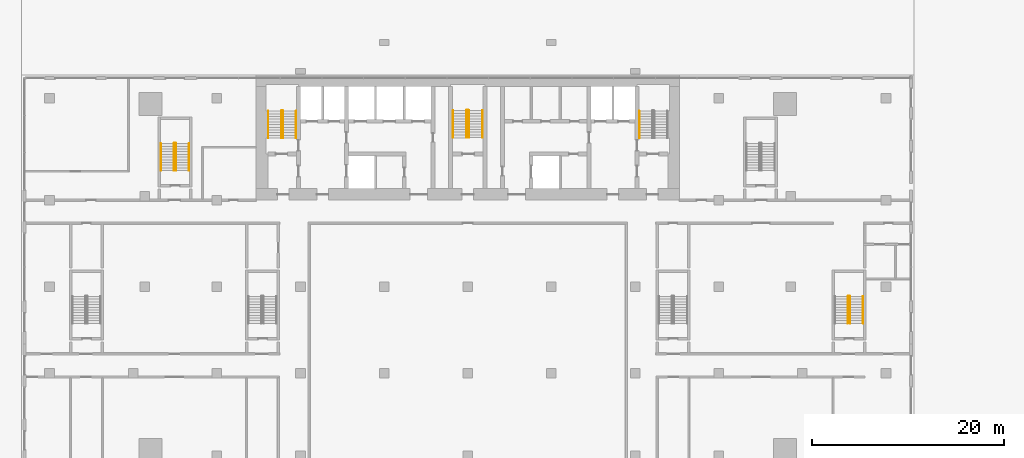
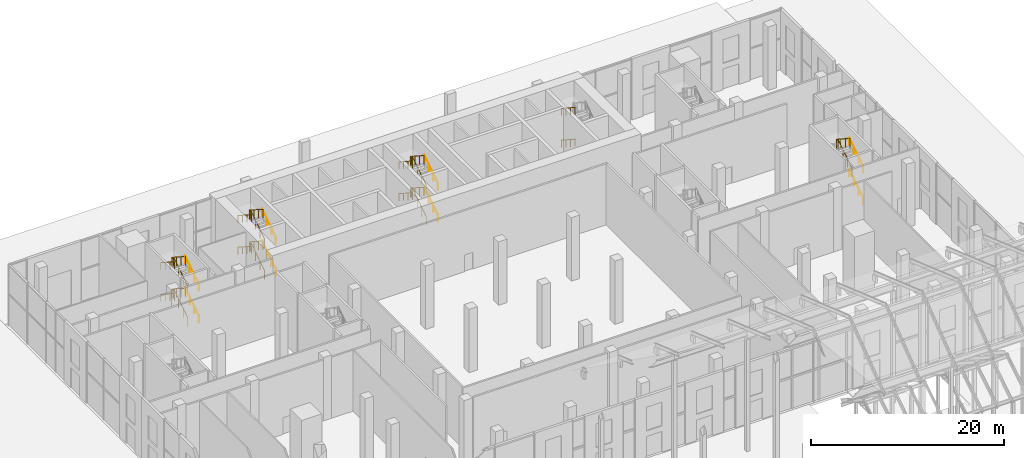
# One storey, part 30 of 31: 23 railings.
"""IFC4 building model written with IfcOpenShell, lengths in metres."""

from ifc_helpers import new_model, si_unit, direction, frame, origin, origin_2d, place, context, subcontext, project, spatial, circle, extrude, material, type_object, element, save


model = new_model("IFC4")

# Units and contexts
model_context = context("Model", 3, precision=1e-05, world=origin(), true_north=direction((0.0, 1.0)))
body_context = subcontext(model_context, "Body", "Model", "MODEL_VIEW")
ifc_project = project(units=[si_unit("LENGTHUNIT", "METRE"), si_unit("AREAUNIT", "SQUARE_METRE"), si_unit("VOLUMEUNIT", "CUBIC_METRE"), si_unit("PLANEANGLEUNIT", "RADIAN"), si_unit("MASSUNIT", "GRAM", prefix="KILO")], contexts=[model_context])

# Site, building, storey
site_placement = place(None, origin())
site = spatial("IfcSite", under=ifc_project, at=site_placement, CompositionType="ELEMENT")
building_placement = place(site_placement, origin())
building = spatial("IfcBuilding", under=site, at=building_placement, Name="Bicima Exchange Tower", CompositionType="ELEMENT")
storey_placement = place(building_placement, origin())
storey = spatial("IfcBuildingStorey", under=building, at=storey_placement, Name="L00", CompositionType="ELEMENT", Elevation=0.0)

# Railings
ifc_material = material(Name="Stainless steel", Category="steel")
railing_type_1 = type_object("IfcRailingType", Name="Stair guard 1100", PredefinedType="GUARDRAIL", material=ifc_material)
railing_1_placement = place(storey_placement, frame((-19.199951171875, -6.550048828125, 0.181884765625)))
element("IfcRailing", 1, at=railing_1_placement, inside=storey, type_object=railing_type_1, Name="L00 ST-W stair guard 1", PredefinedType="GUARDRAIL", context=body_context, shape_type="SweptSolid", body=[
    extrude(circle(Radius=0.02392578125, at=origin_2d()), frame((0.0, 0.0, 1.076171875), z_axis=(0.0, 0.838705829183, 0.544584733623), x_axis=(-1.0, 0.0, 0.0)), (0.0, 0.0, 1.0), 3.338623046875),
    extrude(circle(Radius=0.02392578125, at=origin_2d()), frame((0.0, 2.800048828125, 2.89404296875), z_axis=(-0.707106781187, 0.707106781187, 0.0), x_axis=(-0.707106781187, -0.707106781187, 0.0)), (0.0, 0.0, 1.0), 0.07080078125),
    extrude(circle(Radius=0.02392578125, at=origin_2d()), frame((-0.050048828125, 2.85009765625, 2.89404296875), z_axis=(-1.0, 0.0, 0.0), x_axis=(0.0, -1.0, 0.0)), (0.0, 0.0, 1.0), 0.10009765625),
    extrude(circle(Radius=0.02392578125, at=origin_2d()), frame((-0.150146484375, 2.85009765625, 2.89404296875), z_axis=(-0.25526617399, -0.256517478764, 0.932222056972), x_axis=(0.708833529934, -0.705375805398, 0.0)), (0.0, 0.0, 1.0), 0.195068359375),
    extrude(circle(Radius=0.02392578125, at=origin_2d()), frame((-0.199951171875, 2.800048828125, 3.076171875), z_axis=(0.0, -0.838705829183, 0.544584733623), x_axis=(1.0, 0.0, 0.0)), (0.0, 0.0, 1.0), 3.338623046875),
    extrude(circle(Radius=0.02099609375, at=origin_2d()), origin(), (0.0, 0.0, 1.0), 1.052001953125),
    extrude(circle(Radius=0.02099609375, at=origin_2d()), frame((0.0, 0.933349609375, 0.60595703125)), (0.0, 0.0, 1.0), 1.052001953125),
    extrude(circle(Radius=0.02099609375, at=origin_2d()), frame((0.0, 1.86669921875, 1.212158203125)), (0.0, 0.0, 1.0), 1.052001953125),
    extrude(circle(Radius=0.02099609375, at=origin_2d()), frame((0.0, 2.800048828125, 1.818115234375)), (0.0, 0.0, 1.0), 1.052001953125),
    extrude(circle(Radius=0.02099609375, at=origin_2d()), frame((-0.050048828125, 2.85009765625, 1.818115234375)), (0.0, 0.0, 1.0), 1.052001953125),
    extrude(circle(Radius=0.02099609375, at=origin_2d()), frame((-0.150146484375, 2.85009765625, 1.818115234375)), (0.0, 0.0, 1.0), 1.052001953125),
    extrude(circle(Radius=0.02099609375, at=origin_2d()), frame((-0.199951171875, 2.800048828125, 2.0)), (0.0, 0.0, 1.0), 1.052001953125),
    extrude(circle(Radius=0.02099609375, at=origin_2d()), frame((-0.199951171875, 1.86669921875, 2.60595703125)), (0.0, 0.0, 1.0), 1.052001953125),
    extrude(circle(Radius=0.02099609375, at=origin_2d()), frame((-0.199951171875, 0.933349609375, 3.212158203125)), (0.0, 0.0, 1.0), 1.052001953125),
    extrude(circle(Radius=0.02099609375, at=origin_2d()), frame((-0.199951171875, 0.0, 3.818115234375)), (0.0, 0.0, 1.0), 1.052001953125),
])
railing_2_placement = place(storey_placement, frame((-19.199951171875, -6.550048828125, 4.181884765625)))
element("IfcRailing", 2, at=railing_2_placement, inside=storey, type_object=railing_type_1, Name="L00 ST-W stair guard 2", PredefinedType="GUARDRAIL", context=body_context, shape_type="SweptSolid", body=[
    extrude(circle(Radius=0.02392578125, at=origin_2d()), frame((0.0, 0.0, 1.076171875), z_axis=(0.0, 0.838705829183, 0.544584733623), x_axis=(-1.0, 0.0, 0.0)), (0.0, 0.0, 1.0), 3.338623046875),
    extrude(circle(Radius=0.02392578125, at=origin_2d()), frame((0.0, 2.800048828125, 2.89404296875), z_axis=(-0.707106781187, 0.707106781187, 0.0), x_axis=(-0.707106781187, -0.707106781187, 0.0)), (0.0, 0.0, 1.0), 0.07080078125),
    extrude(circle(Radius=0.02392578125, at=origin_2d()), frame((-0.050048828125, 2.85009765625, 2.89404296875), z_axis=(-1.0, 0.0, 0.0), x_axis=(0.0, -1.0, 0.0)), (0.0, 0.0, 1.0), 0.10009765625),
    extrude(circle(Radius=0.02392578125, at=origin_2d()), frame((-0.150146484375, 2.85009765625, 2.89404296875), z_axis=(-0.25526617399, -0.256517478764, 0.932222056972), x_axis=(0.708833529934, -0.705375805398, 0.0)), (0.0, 0.0, 1.0), 0.195068359375),
    extrude(circle(Radius=0.02392578125, at=origin_2d()), frame((-0.199951171875, 2.800048828125, 3.076171875), z_axis=(0.0, -0.838705829183, 0.544584733623), x_axis=(1.0, 0.0, 0.0)), (0.0, 0.0, 1.0), 3.338623046875),
    extrude(circle(Radius=0.02099609375, at=origin_2d()), origin(), (0.0, 0.0, 1.0), 1.052001953125),
    extrude(circle(Radius=0.02099609375, at=origin_2d()), frame((0.0, 0.933349609375, 0.60595703125)), (0.0, 0.0, 1.0), 1.052001953125),
    extrude(circle(Radius=0.02099609375, at=origin_2d()), frame((0.0, 1.86669921875, 1.212158203125)), (0.0, 0.0, 1.0), 1.052001953125),
    extrude(circle(Radius=0.02099609375, at=origin_2d()), frame((0.0, 2.800048828125, 1.818115234375)), (0.0, 0.0, 1.0), 1.052001953125),
    extrude(circle(Radius=0.02099609375, at=origin_2d()), frame((-0.050048828125, 2.85009765625, 1.818115234375)), (0.0, 0.0, 1.0), 1.052001953125),
    extrude(circle(Radius=0.02099609375, at=origin_2d()), frame((-0.150146484375, 2.85009765625, 1.818115234375)), (0.0, 0.0, 1.0), 1.052001953125),
    extrude(circle(Radius=0.02099609375, at=origin_2d()), frame((-0.199951171875, 2.800048828125, 2.0)), (0.0, 0.0, 1.0), 1.052001953125),
    extrude(circle(Radius=0.02099609375, at=origin_2d()), frame((-0.199951171875, 1.86669921875, 2.60595703125)), (0.0, 0.0, 1.0), 1.052001953125),
    extrude(circle(Radius=0.02099609375, at=origin_2d()), frame((-0.199951171875, 0.933349609375, 3.212158203125)), (0.0, 0.0, 1.0), 1.052001953125),
    extrude(circle(Radius=0.02099609375, at=origin_2d()), frame((-0.199951171875, 0.0, 3.818115234375)), (0.0, 0.0, 1.0), 1.052001953125),
])
railing_3_placement = place(storey_placement, frame((0.125, -6.5, 0.181884765625)))
element("IfcRailing", 3, at=railing_3_placement, inside=storey, type_object=railing_type_1, Name="L00 ST-C stair guard 1", PredefinedType="GUARDRAIL", context=body_context, shape_type="SweptSolid", body=[
    extrude(circle(Radius=0.02392578125, at=origin_2d()), frame((0.0, 0.0, 1.076171875), z_axis=(0.0, 0.838705829183, 0.544584733623), x_axis=(-1.0, 0.0, 0.0)), (0.0, 0.0, 1.0), 3.338623046875),
    extrude(circle(Radius=0.02392578125, at=origin_2d()), frame((0.0, 2.800048828125, 2.89404296875), z_axis=(-0.707106781187, 0.707106781187, 0.0), x_axis=(-0.707106781187, -0.707106781187, 0.0)), (0.0, 0.0, 1.0), 0.07080078125),
    extrude(circle(Radius=0.02392578125, at=origin_2d()), frame((-0.050048828125, 2.85009765625, 2.89404296875), z_axis=(-1.0, 0.0, 0.0), x_axis=(0.0, -1.0, 0.0)), (0.0, 0.0, 1.0), 0.14990234375),
    extrude(circle(Radius=0.02392578125, at=origin_2d()), frame((-0.199951171875, 2.85009765625, 2.89404296875), z_axis=(-0.256435381639, -0.256435381639, 0.931923704005), x_axis=(0.707106781187, -0.707106781187, 0.0)), (0.0, 0.0, 1.0), 0.195068359375),
    extrude(circle(Radius=0.02392578125, at=origin_2d()), frame((-0.25, 2.800048828125, 3.076171875), z_axis=(0.0, -0.838705829183, 0.544584733623), x_axis=(1.0, 0.0, 0.0)), (0.0, 0.0, 1.0), 3.338623046875),
    extrude(circle(Radius=0.02099609375, at=origin_2d()), origin(), (0.0, 0.0, 1.0), 1.052001953125),
    extrude(circle(Radius=0.02099609375, at=origin_2d()), frame((0.0, 0.933349609375, 0.60595703125)), (0.0, 0.0, 1.0), 1.052001953125),
    extrude(circle(Radius=0.02099609375, at=origin_2d()), frame((0.0, 1.86669921875, 1.212158203125)), (0.0, 0.0, 1.0), 1.052001953125),
    extrude(circle(Radius=0.02099609375, at=origin_2d()), frame((0.0, 2.800048828125, 1.818115234375)), (0.0, 0.0, 1.0), 1.052001953125),
    extrude(circle(Radius=0.02099609375, at=origin_2d()), frame((-0.050048828125, 2.85009765625, 1.818115234375)), (0.0, 0.0, 1.0), 1.052001953125),
    extrude(circle(Radius=0.02099609375, at=origin_2d()), frame((-0.199951171875, 2.85009765625, 1.818115234375)), (0.0, 0.0, 1.0), 1.052001953125),
    extrude(circle(Radius=0.02099609375, at=origin_2d()), frame((-0.25, 2.800048828125, 2.0)), (0.0, 0.0, 1.0), 1.052001953125),
    extrude(circle(Radius=0.02099609375, at=origin_2d()), frame((-0.25, 1.86669921875, 2.60595703125)), (0.0, 0.0, 1.0), 1.052001953125),
    extrude(circle(Radius=0.02099609375, at=origin_2d()), frame((-0.25, 0.933349609375, 3.212158203125)), (0.0, 0.0, 1.0), 1.052001953125),
    extrude(circle(Radius=0.02099609375, at=origin_2d()), frame((-0.25, 0.0, 3.818115234375)), (0.0, 0.0, 1.0), 1.052001953125),
])
railing_4_placement = place(storey_placement, frame((0.125, -6.5, 4.181884765625)))
element("IfcRailing", 4, at=railing_4_placement, inside=storey, type_object=railing_type_1, Name="L00 ST-C stair guard 2", PredefinedType="GUARDRAIL", context=body_context, shape_type="SweptSolid", body=[
    extrude(circle(Radius=0.02392578125, at=origin_2d()), frame((0.0, 0.0, 1.076171875), z_axis=(0.0, 0.838705829183, 0.544584733623), x_axis=(-1.0, 0.0, 0.0)), (0.0, 0.0, 1.0), 3.338623046875),
    extrude(circle(Radius=0.02392578125, at=origin_2d()), frame((0.0, 2.800048828125, 2.89404296875), z_axis=(-0.707106781187, 0.707106781187, 0.0), x_axis=(-0.707106781187, -0.707106781187, 0.0)), (0.0, 0.0, 1.0), 0.07080078125),
    extrude(circle(Radius=0.02392578125, at=origin_2d()), frame((-0.050048828125, 2.85009765625, 2.89404296875), z_axis=(-1.0, 0.0, 0.0), x_axis=(0.0, -1.0, 0.0)), (0.0, 0.0, 1.0), 0.14990234375),
    extrude(circle(Radius=0.02392578125, at=origin_2d()), frame((-0.199951171875, 2.85009765625, 2.89404296875), z_axis=(-0.256435381639, -0.256435381639, 0.931923704005), x_axis=(0.707106781187, -0.707106781187, 0.0)), (0.0, 0.0, 1.0), 0.195068359375),
    extrude(circle(Radius=0.02392578125, at=origin_2d()), frame((-0.25, 2.800048828125, 3.076171875), z_axis=(0.0, -0.838705829183, 0.544584733623), x_axis=(1.0, 0.0, 0.0)), (0.0, 0.0, 1.0), 3.338623046875),
    extrude(circle(Radius=0.02099609375, at=origin_2d()), origin(), (0.0, 0.0, 1.0), 1.052001953125),
    extrude(circle(Radius=0.02099609375, at=origin_2d()), frame((0.0, 0.933349609375, 0.60595703125)), (0.0, 0.0, 1.0), 1.052001953125),
    extrude(circle(Radius=0.02099609375, at=origin_2d()), frame((0.0, 1.86669921875, 1.212158203125)), (0.0, 0.0, 1.0), 1.052001953125),
    extrude(circle(Radius=0.02099609375, at=origin_2d()), frame((0.0, 2.800048828125, 1.818115234375)), (0.0, 0.0, 1.0), 1.052001953125),
    extrude(circle(Radius=0.02099609375, at=origin_2d()), frame((-0.050048828125, 2.85009765625, 1.818115234375)), (0.0, 0.0, 1.0), 1.052001953125),
    extrude(circle(Radius=0.02099609375, at=origin_2d()), frame((-0.199951171875, 2.85009765625, 1.818115234375)), (0.0, 0.0, 1.0), 1.052001953125),
    extrude(circle(Radius=0.02099609375, at=origin_2d()), frame((-0.25, 2.800048828125, 2.0)), (0.0, 0.0, 1.0), 1.052001953125),
    extrude(circle(Radius=0.02099609375, at=origin_2d()), frame((-0.25, 1.86669921875, 2.60595703125)), (0.0, 0.0, 1.0), 1.052001953125),
    extrude(circle(Radius=0.02099609375, at=origin_2d()), frame((-0.25, 0.933349609375, 3.212158203125)), (0.0, 0.0, 1.0), 1.052001953125),
    extrude(circle(Radius=0.02099609375, at=origin_2d()), frame((-0.25, 0.0, 3.818115234375)), (0.0, 0.0, 1.0), 1.052001953125),
])
railing_5_placement = place(storey_placement, frame((-30.324951171875, -9.925048828125, 0.181884765625)))
element("IfcRailing", 5, at=railing_5_placement, inside=storey, type_object=railing_type_1, Name="L00 ST-WW stair guard 1", PredefinedType="GUARDRAIL", context=body_context, shape_type="SweptSolid", body=[
    extrude(circle(Radius=0.02392578125, at=origin_2d()), frame((0.0, 0.0, 1.076171875), z_axis=(0.0, 0.838705829183, 0.544584733623), x_axis=(-1.0, 0.0, 0.0)), (0.0, 0.0, 1.0), 3.338623046875),
    extrude(circle(Radius=0.02392578125, at=origin_2d()), frame((0.0, 2.800048828125, 2.89404296875), z_axis=(-0.707106781187, 0.707106781187, 0.0), x_axis=(-0.707106781187, -0.707106781187, 0.0)), (0.0, 0.0, 1.0), 0.07080078125),
    extrude(circle(Radius=0.02392578125, at=origin_2d()), frame((-0.050048828125, 2.85009765625, 2.89404296875), z_axis=(-1.0, 0.0, 0.0), x_axis=(0.0, -1.0, 0.0)), (0.0, 0.0, 1.0), 0.14990234375),
    extrude(circle(Radius=0.02392578125, at=origin_2d()), frame((-0.199951171875, 2.85009765625, 2.89404296875), z_axis=(-0.256435381639, -0.256435381639, 0.931923704005), x_axis=(0.707106781187, -0.707106781187, 0.0)), (0.0, 0.0, 1.0), 0.195068359375),
    extrude(circle(Radius=0.02392578125, at=origin_2d()), frame((-0.25, 2.800048828125, 3.076171875), z_axis=(0.0, -0.838705829183, 0.544584733623), x_axis=(1.0, 0.0, 0.0)), (0.0, 0.0, 1.0), 3.338623046875),
    extrude(circle(Radius=0.02099609375, at=origin_2d()), origin(), (0.0, 0.0, 1.0), 1.052001953125),
    extrude(circle(Radius=0.02099609375, at=origin_2d()), frame((0.0, 0.933349609375, 0.60595703125)), (0.0, 0.0, 1.0), 1.052001953125),
    extrude(circle(Radius=0.02099609375, at=origin_2d()), frame((0.0, 1.86669921875, 1.212158203125)), (0.0, 0.0, 1.0), 1.052001953125),
    extrude(circle(Radius=0.02099609375, at=origin_2d()), frame((0.0, 2.800048828125, 1.818115234375)), (0.0, 0.0, 1.0), 1.052001953125),
    extrude(circle(Radius=0.02099609375, at=origin_2d()), frame((-0.050048828125, 2.85009765625, 1.818115234375)), (0.0, 0.0, 1.0), 1.052001953125),
    extrude(circle(Radius=0.02099609375, at=origin_2d()), frame((-0.199951171875, 2.85009765625, 1.818115234375)), (0.0, 0.0, 1.0), 1.052001953125),
    extrude(circle(Radius=0.02099609375, at=origin_2d()), frame((-0.25, 2.800048828125, 2.0)), (0.0, 0.0, 1.0), 1.052001953125),
    extrude(circle(Radius=0.02099609375, at=origin_2d()), frame((-0.25, 1.86669921875, 2.60595703125)), (0.0, 0.0, 1.0), 1.052001953125),
    extrude(circle(Radius=0.02099609375, at=origin_2d()), frame((-0.25, 0.933349609375, 3.212158203125)), (0.0, 0.0, 1.0), 1.052001953125),
    extrude(circle(Radius=0.02099609375, at=origin_2d()), frame((-0.25, 0.0, 3.818115234375)), (0.0, 0.0, 1.0), 1.052001953125),
])
railing_6_placement = place(storey_placement, frame((-30.324951171875, -9.925048828125, 4.181884765625)))
element("IfcRailing", 6, at=railing_6_placement, inside=storey, type_object=railing_type_1, Name="L00 ST-WW stair guard 2", PredefinedType="GUARDRAIL", context=body_context, shape_type="SweptSolid", body=[
    extrude(circle(Radius=0.02392578125, at=origin_2d()), frame((0.0, 0.0, 1.076171875), z_axis=(0.0, 0.838705829183, 0.544584733623), x_axis=(-1.0, 0.0, 0.0)), (0.0, 0.0, 1.0), 3.338623046875),
    extrude(circle(Radius=0.02392578125, at=origin_2d()), frame((0.0, 2.800048828125, 2.89404296875), z_axis=(-0.707106781187, 0.707106781187, 0.0), x_axis=(-0.707106781187, -0.707106781187, 0.0)), (0.0, 0.0, 1.0), 0.07080078125),
    extrude(circle(Radius=0.02392578125, at=origin_2d()), frame((-0.050048828125, 2.85009765625, 2.89404296875), z_axis=(-1.0, 0.0, 0.0), x_axis=(0.0, -1.0, 0.0)), (0.0, 0.0, 1.0), 0.14990234375),
    extrude(circle(Radius=0.02392578125, at=origin_2d()), frame((-0.199951171875, 2.85009765625, 2.89404296875), z_axis=(-0.256435381639, -0.256435381639, 0.931923704005), x_axis=(0.707106781187, -0.707106781187, 0.0)), (0.0, 0.0, 1.0), 0.195068359375),
    extrude(circle(Radius=0.02392578125, at=origin_2d()), frame((-0.25, 2.800048828125, 3.076171875), z_axis=(0.0, -0.838705829183, 0.544584733623), x_axis=(1.0, 0.0, 0.0)), (0.0, 0.0, 1.0), 3.338623046875),
    extrude(circle(Radius=0.02099609375, at=origin_2d()), origin(), (0.0, 0.0, 1.0), 1.052001953125),
    extrude(circle(Radius=0.02099609375, at=origin_2d()), frame((0.0, 0.933349609375, 0.60595703125)), (0.0, 0.0, 1.0), 1.052001953125),
    extrude(circle(Radius=0.02099609375, at=origin_2d()), frame((0.0, 1.86669921875, 1.212158203125)), (0.0, 0.0, 1.0), 1.052001953125),
    extrude(circle(Radius=0.02099609375, at=origin_2d()), frame((0.0, 2.800048828125, 1.818115234375)), (0.0, 0.0, 1.0), 1.052001953125),
    extrude(circle(Radius=0.02099609375, at=origin_2d()), frame((-0.050048828125, 2.85009765625, 1.818115234375)), (0.0, 0.0, 1.0), 1.052001953125),
    extrude(circle(Radius=0.02099609375, at=origin_2d()), frame((-0.199951171875, 2.85009765625, 1.818115234375)), (0.0, 0.0, 1.0), 1.052001953125),
    extrude(circle(Radius=0.02099609375, at=origin_2d()), frame((-0.25, 2.800048828125, 2.0)), (0.0, 0.0, 1.0), 1.052001953125),
    extrude(circle(Radius=0.02099609375, at=origin_2d()), frame((-0.25, 1.86669921875, 2.60595703125)), (0.0, 0.0, 1.0), 1.052001953125),
    extrude(circle(Radius=0.02099609375, at=origin_2d()), frame((-0.25, 0.933349609375, 3.212158203125)), (0.0, 0.0, 1.0), 1.052001953125),
    extrude(circle(Radius=0.02099609375, at=origin_2d()), frame((-0.25, 0.0, 3.818115234375)), (0.0, 0.0, 1.0), 1.052001953125),
])
railing_7_placement = place(storey_placement, frame((39.77490234375, -25.824951171875, 4.181884765625)))
element("IfcRailing", 7, at=railing_7_placement, inside=storey, type_object=railing_type_1, Name="L00 PS-E stair guard 2", PredefinedType="GUARDRAIL", context=body_context, shape_type="SweptSolid", body=[
    extrude(circle(Radius=0.02392578125, at=origin_2d()), frame((0.0, 0.0, 1.076171875), z_axis=(0.0, 0.838705829183, 0.544584733623), x_axis=(-1.0, 0.0, 0.0)), (0.0, 0.0, 1.0), 3.338623046875),
    extrude(circle(Radius=0.02392578125, at=origin_2d()), frame((0.0, 2.800048828125, 2.89404296875), z_axis=(-0.707106781187, 0.707106781187, 0.0), x_axis=(-0.707106781187, -0.707106781187, 0.0)), (0.0, 0.0, 1.0), 0.0703125),
    extrude(circle(Radius=0.02392578125, at=origin_2d()), frame((-0.0498046875, 2.849853515625, 2.89404296875), z_axis=(-1.0, 0.0, 0.0), x_axis=(0.0, -1.0, 0.0)), (0.0, 0.0, 1.0), 0.150146484375),
    extrude(circle(Radius=0.02392578125, at=origin_2d()), frame((-0.199951171875, 2.849853515625, 2.89404296875), z_axis=(-0.256517478764, -0.25526617399, 0.932222056972), x_axis=(0.705375805398, -0.708833529934, 0.0)), (0.0, 0.0, 1.0), 0.195068359375),
    extrude(circle(Radius=0.02392578125, at=origin_2d()), frame((-0.25, 2.800048828125, 3.076171875), z_axis=(0.0, -0.838705829183, 0.544584733623), x_axis=(1.0, 0.0, 0.0)), (0.0, 0.0, 1.0), 3.338623046875),
    extrude(circle(Radius=0.02099609375, at=origin_2d()), origin(), (0.0, 0.0, 1.0), 1.052001953125),
    extrude(circle(Radius=0.02099609375, at=origin_2d()), frame((0.0, 0.933349609375, 0.60595703125)), (0.0, 0.0, 1.0), 1.052001953125),
    extrude(circle(Radius=0.02099609375, at=origin_2d()), frame((0.0, 1.86669921875, 1.212158203125)), (0.0, 0.0, 1.0), 1.052001953125),
    extrude(circle(Radius=0.02099609375, at=origin_2d()), frame((0.0, 2.800048828125, 1.818115234375)), (0.0, 0.0, 1.0), 1.052001953125),
    extrude(circle(Radius=0.02099609375, at=origin_2d()), frame((-0.0498046875, 2.849853515625, 1.818115234375)), (0.0, 0.0, 1.0), 1.052001953125),
    extrude(circle(Radius=0.02099609375, at=origin_2d()), frame((-0.199951171875, 2.849853515625, 1.818115234375)), (0.0, 0.0, 1.0), 1.052001953125),
    extrude(circle(Radius=0.02099609375, at=origin_2d()), frame((-0.25, 2.800048828125, 2.0)), (0.0, 0.0, 1.0), 1.052001953125),
    extrude(circle(Radius=0.02099609375, at=origin_2d()), frame((-0.25, 1.86669921875, 2.60595703125)), (0.0, 0.0, 1.0), 1.052001953125),
    extrude(circle(Radius=0.02099609375, at=origin_2d()), frame((-0.25, 0.933349609375, 3.212158203125)), (0.0, 0.0, 1.0), 1.052001953125),
    extrude(circle(Radius=0.02099609375, at=origin_2d()), frame((-0.25, 0.0, 3.818115234375)), (0.0, 0.0, 1.0), 1.052001953125),
])
railing_type_2 = type_object("IfcRailingType", Name="Stair handrail 900", PredefinedType="HANDRAIL", material=ifc_material)
railing_8_placement = place(storey_placement, frame((-17.85009765625, -6.550048828125, 0.181884765625)))
element("IfcRailing", 8, at=railing_8_placement, inside=storey, type_object=railing_type_2, Name="L00 ST-W stair handrail 1", PredefinedType="HANDRAIL", context=body_context, shape_type="SweptSolid", body=[
    extrude(circle(Radius=0.02392578125, at=origin_2d()), frame((0.0, 0.0, 0.8759765625), z_axis=(0.0, 0.838705829183, 0.544584733623), x_axis=(-1.0, 0.0, 0.0)), (0.0, 0.0, 1.0), 3.338623046875),
    extrude(circle(Radius=0.02099609375, at=origin_2d()), origin(), (0.0, 0.0, 1.0), 0.851806640625),
    extrude(circle(Radius=0.02099609375, at=origin_2d()), frame((0.0, 0.933349609375, 0.60595703125)), (0.0, 0.0, 1.0), 0.851806640625),
    extrude(circle(Radius=0.02099609375, at=origin_2d()), frame((0.0, 1.86669921875, 1.212158203125)), (0.0, 0.0, 1.0), 0.851806640625),
    extrude(circle(Radius=0.02099609375, at=origin_2d()), frame((0.0, 2.800048828125, 1.818115234375)), (0.0, 0.0, 1.0), 0.851806640625),
])
railing_9_placement = place(storey_placement, frame((-20.75, -3.75, 2.181884765625)))
element("IfcRailing", 9, at=railing_9_placement, inside=storey, type_object=railing_type_2, Name="L00 ST-W stair handrail 2", PredefinedType="HANDRAIL", context=body_context, shape_type="SweptSolid", body=[
    extrude(circle(Radius=0.02392578125, at=origin_2d()), frame((0.0, 0.0, 0.8759765625), z_axis=(0.0, -0.838705829183, 0.544584733623), x_axis=(1.0, 0.0, 0.0)), (0.0, 0.0, 1.0), 3.338623046875),
    extrude(circle(Radius=0.02099609375, at=origin_2d()), origin(), (0.0, 0.0, 1.0), 0.851806640625),
    extrude(circle(Radius=0.02099609375, at=origin_2d()), frame((0.0, -0.933349609375, 0.60595703125)), (0.0, 0.0, 1.0), 0.851806640625),
    extrude(circle(Radius=0.02099609375, at=origin_2d()), frame((0.0, -1.86669921875, 1.212158203125)), (0.0, 0.0, 1.0), 0.851806640625),
    extrude(circle(Radius=0.02099609375, at=origin_2d()), frame((0.0, -2.800048828125, 1.818115234375)), (0.0, 0.0, 1.0), 0.851806640625),
])
railing_10_placement = place(storey_placement, frame((-17.85009765625, -6.550048828125, 4.181884765625)))
element("IfcRailing", 10, at=railing_10_placement, inside=storey, type_object=railing_type_2, Name="L00 ST-W stair handrail 3", PredefinedType="HANDRAIL", context=body_context, shape_type="SweptSolid", body=[
    extrude(circle(Radius=0.02392578125, at=origin_2d()), frame((0.0, 0.0, 0.8759765625), z_axis=(0.0, 0.838705829183, 0.544584733623), x_axis=(-1.0, 0.0, 0.0)), (0.0, 0.0, 1.0), 3.338623046875),
    extrude(circle(Radius=0.02099609375, at=origin_2d()), origin(), (0.0, 0.0, 1.0), 0.851806640625),
    extrude(circle(Radius=0.02099609375, at=origin_2d()), frame((0.0, 0.933349609375, 0.60595703125)), (0.0, 0.0, 1.0), 0.851806640625),
    extrude(circle(Radius=0.02099609375, at=origin_2d()), frame((0.0, 1.86669921875, 1.212158203125)), (0.0, 0.0, 1.0), 0.851806640625),
    extrude(circle(Radius=0.02099609375, at=origin_2d()), frame((0.0, 2.800048828125, 1.818115234375)), (0.0, 0.0, 1.0), 0.851806640625),
])
railing_11_placement = place(storey_placement, frame((-20.75, -3.75, 6.181884765625)))
element("IfcRailing", 11, at=railing_11_placement, inside=storey, type_object=railing_type_2, Name="L00 ST-W stair handrail 4", PredefinedType="HANDRAIL", context=body_context, shape_type="SweptSolid", body=[
    extrude(circle(Radius=0.02392578125, at=origin_2d()), frame((0.0, 0.0, 0.8759765625), z_axis=(0.0, -0.838705829183, 0.544584733623), x_axis=(1.0, 0.0, 0.0)), (0.0, 0.0, 1.0), 3.338623046875),
    extrude(circle(Radius=0.02099609375, at=origin_2d()), origin(), (0.0, 0.0, 1.0), 0.851806640625),
    extrude(circle(Radius=0.02099609375, at=origin_2d()), frame((0.0, -0.933349609375, 0.60595703125)), (0.0, 0.0, 1.0), 0.851806640625),
    extrude(circle(Radius=0.02099609375, at=origin_2d()), frame((0.0, -1.86669921875, 1.212158203125)), (0.0, 0.0, 1.0), 0.851806640625),
    extrude(circle(Radius=0.02099609375, at=origin_2d()), frame((0.0, -2.800048828125, 1.818115234375)), (0.0, 0.0, 1.0), 0.851806640625),
])
railing_12_placement = place(storey_placement, frame((1.52490234375, -6.5, 0.181884765625)))
element("IfcRailing", 12, at=railing_12_placement, inside=storey, type_object=railing_type_2, Name="L00 ST-C stair handrail 1", PredefinedType="HANDRAIL", context=body_context, shape_type="SweptSolid", body=[
    extrude(circle(Radius=0.02392578125, at=origin_2d()), frame((0.0, 0.0, 0.8759765625), z_axis=(0.0, 0.838705829183, 0.544584733623), x_axis=(-1.0, 0.0, 0.0)), (0.0, 0.0, 1.0), 3.338623046875),
    extrude(circle(Radius=0.02099609375, at=origin_2d()), origin(), (0.0, 0.0, 1.0), 0.851806640625),
    extrude(circle(Radius=0.02099609375, at=origin_2d()), frame((0.0, 0.933349609375, 0.60595703125)), (0.0, 0.0, 1.0), 0.851806640625),
    extrude(circle(Radius=0.02099609375, at=origin_2d()), frame((0.0, 1.86669921875, 1.212158203125)), (0.0, 0.0, 1.0), 0.851806640625),
    extrude(circle(Radius=0.02099609375, at=origin_2d()), frame((0.0, 2.800048828125, 1.818115234375)), (0.0, 0.0, 1.0), 0.851806640625),
])
railing_13_placement = place(storey_placement, frame((-1.52490234375, -3.699951171875, 2.181884765625)))
element("IfcRailing", 13, at=railing_13_placement, inside=storey, type_object=railing_type_2, Name="L00 ST-C stair handrail 2", PredefinedType="HANDRAIL", context=body_context, shape_type="SweptSolid", body=[
    extrude(circle(Radius=0.02392578125, at=origin_2d()), frame((0.0, 0.0, 0.8759765625), z_axis=(0.0, -0.838705829183, 0.544584733623), x_axis=(1.0, 0.0, 0.0)), (0.0, 0.0, 1.0), 3.338623046875),
    extrude(circle(Radius=0.02099609375, at=origin_2d()), origin(), (0.0, 0.0, 1.0), 0.851806640625),
    extrude(circle(Radius=0.02099609375, at=origin_2d()), frame((0.0, -0.933349609375, 0.60595703125)), (0.0, 0.0, 1.0), 0.851806640625),
    extrude(circle(Radius=0.02099609375, at=origin_2d()), frame((0.0, -1.86669921875, 1.212158203125)), (0.0, 0.0, 1.0), 0.851806640625),
    extrude(circle(Radius=0.02099609375, at=origin_2d()), frame((0.0, -2.800048828125, 1.818115234375)), (0.0, 0.0, 1.0), 0.851806640625),
])
railing_14_placement = place(storey_placement, frame((1.52490234375, -6.5, 4.181884765625)))
element("IfcRailing", 14, at=railing_14_placement, inside=storey, type_object=railing_type_2, Name="L00 ST-C stair handrail 3", PredefinedType="HANDRAIL", context=body_context, shape_type="SweptSolid", body=[
    extrude(circle(Radius=0.02392578125, at=origin_2d()), frame((0.0, 0.0, 0.8759765625), z_axis=(0.0, 0.838705829183, 0.544584733623), x_axis=(-1.0, 0.0, 0.0)), (0.0, 0.0, 1.0), 3.338623046875),
    extrude(circle(Radius=0.02099609375, at=origin_2d()), origin(), (0.0, 0.0, 1.0), 0.851806640625),
    extrude(circle(Radius=0.02099609375, at=origin_2d()), frame((0.0, 0.933349609375, 0.60595703125)), (0.0, 0.0, 1.0), 0.851806640625),
    extrude(circle(Radius=0.02099609375, at=origin_2d()), frame((0.0, 1.86669921875, 1.212158203125)), (0.0, 0.0, 1.0), 0.851806640625),
    extrude(circle(Radius=0.02099609375, at=origin_2d()), frame((0.0, 2.800048828125, 1.818115234375)), (0.0, 0.0, 1.0), 0.851806640625),
])
for number, where, name in (
    (15, (-1.52490234375, -3.699951171875, 6.181884765625), "L00 ST-C stair handrail 4"),
    (16, (17.85009765625, -3.75, 2.181884765625), "L00 ST-E stair handrail 2"),
    (17, (17.85009765625, -3.75, 6.181884765625), "L00 ST-E stair handrail 4"),
):
    element("IfcRailing", number, at=place(storey_placement, frame(where)), inside=storey, type_object=railing_type_2, Name=name, PredefinedType="HANDRAIL", context=body_context, shape_type="SweptSolid", body=[
        extrude(circle(Radius=0.02392578125, at=origin_2d()), frame((0.0, 0.0, 0.8759765625), z_axis=(0.0, -0.838705829183, 0.544584733623), x_axis=(1.0, 0.0, 0.0)), (0.0, 0.0, 1.0), 3.338623046875),
        extrude(circle(Radius=0.02099609375, at=origin_2d()), origin(), (0.0, 0.0, 1.0), 0.851806640625),
        extrude(circle(Radius=0.02099609375, at=origin_2d()), frame((0.0, -0.933349609375, 0.60595703125)), (0.0, 0.0, 1.0), 0.851806640625),
        extrude(circle(Radius=0.02099609375, at=origin_2d()), frame((0.0, -1.86669921875, 1.212158203125)), (0.0, 0.0, 1.0), 0.851806640625),
        extrude(circle(Radius=0.02099609375, at=origin_2d()), frame((0.0, -2.800048828125, 1.818115234375)), (0.0, 0.0, 1.0), 0.851806640625),
    ])
railing_15_placement = place(storey_placement, frame((-28.97509765625, -9.925048828125, 0.181884765625)))
element("IfcRailing", 18, at=railing_15_placement, inside=storey, type_object=railing_type_2, Name="L00 ST-WW stair handrail 1", PredefinedType="HANDRAIL", context=body_context, shape_type="SweptSolid", body=[
    extrude(circle(Radius=0.02392578125, at=origin_2d()), frame((0.0, 0.0, 0.8759765625), z_axis=(0.0, 0.838705829183, 0.544584733623), x_axis=(-1.0, 0.0, 0.0)), (0.0, 0.0, 1.0), 3.338623046875),
    extrude(circle(Radius=0.02099609375, at=origin_2d()), origin(), (0.0, 0.0, 1.0), 0.851806640625),
    extrude(circle(Radius=0.02099609375, at=origin_2d()), frame((0.0, 0.933349609375, 0.60595703125)), (0.0, 0.0, 1.0), 0.851806640625),
    extrude(circle(Radius=0.02099609375, at=origin_2d()), frame((0.0, 1.86669921875, 1.212158203125)), (0.0, 0.0, 1.0), 0.851806640625),
    extrude(circle(Radius=0.02099609375, at=origin_2d()), frame((0.0, 2.800048828125, 1.818115234375)), (0.0, 0.0, 1.0), 0.851806640625),
])
railing_16_placement = place(storey_placement, frame((-31.925048828125, -7.125, 2.181884765625)))
element("IfcRailing", 19, at=railing_16_placement, inside=storey, type_object=railing_type_2, Name="L00 ST-WW stair handrail 2", PredefinedType="HANDRAIL", context=body_context, shape_type="SweptSolid", body=[
    extrude(circle(Radius=0.02392578125, at=origin_2d()), frame((0.0, 0.0, 0.8759765625), z_axis=(0.0, -0.838705829183, 0.544584733623), x_axis=(1.0, 0.0, 0.0)), (0.0, 0.0, 1.0), 3.338623046875),
    extrude(circle(Radius=0.02099609375, at=origin_2d()), origin(), (0.0, 0.0, 1.0), 0.851806640625),
    extrude(circle(Radius=0.02099609375, at=origin_2d()), frame((0.0, -0.933349609375, 0.60595703125)), (0.0, 0.0, 1.0), 0.851806640625),
    extrude(circle(Radius=0.02099609375, at=origin_2d()), frame((0.0, -1.86669921875, 1.212158203125)), (0.0, 0.0, 1.0), 0.851806640625),
    extrude(circle(Radius=0.02099609375, at=origin_2d()), frame((0.0, -2.800048828125, 1.818115234375)), (0.0, 0.0, 1.0), 0.851806640625),
])
railing_17_placement = place(storey_placement, frame((-28.97509765625, -9.925048828125, 4.181884765625)))
element("IfcRailing", 20, at=railing_17_placement, inside=storey, type_object=railing_type_2, Name="L00 ST-WW stair handrail 3", PredefinedType="HANDRAIL", context=body_context, shape_type="SweptSolid", body=[
    extrude(circle(Radius=0.02392578125, at=origin_2d()), frame((0.0, 0.0, 0.8759765625), z_axis=(0.0, 0.838705829183, 0.544584733623), x_axis=(-1.0, 0.0, 0.0)), (0.0, 0.0, 1.0), 3.338623046875),
    extrude(circle(Radius=0.02099609375, at=origin_2d()), origin(), (0.0, 0.0, 1.0), 0.851806640625),
    extrude(circle(Radius=0.02099609375, at=origin_2d()), frame((0.0, 0.933349609375, 0.60595703125)), (0.0, 0.0, 1.0), 0.851806640625),
    extrude(circle(Radius=0.02099609375, at=origin_2d()), frame((0.0, 1.86669921875, 1.212158203125)), (0.0, 0.0, 1.0), 0.851806640625),
    extrude(circle(Radius=0.02099609375, at=origin_2d()), frame((0.0, 2.800048828125, 1.818115234375)), (0.0, 0.0, 1.0), 0.851806640625),
])
railing_18_placement = place(storey_placement, frame((-31.925048828125, -7.125, 6.181884765625)))
element("IfcRailing", 21, at=railing_18_placement, inside=storey, type_object=railing_type_2, Name="L00 ST-WW stair handrail 4", PredefinedType="HANDRAIL", context=body_context, shape_type="SweptSolid", body=[
    extrude(circle(Radius=0.02392578125, at=origin_2d()), frame((0.0, 0.0, 0.8759765625), z_axis=(0.0, -0.838705829183, 0.544584733623), x_axis=(1.0, 0.0, 0.0)), (0.0, 0.0, 1.0), 3.338623046875),
    extrude(circle(Radius=0.02099609375, at=origin_2d()), origin(), (0.0, 0.0, 1.0), 0.851806640625),
    extrude(circle(Radius=0.02099609375, at=origin_2d()), frame((0.0, -0.933349609375, 0.60595703125)), (0.0, 0.0, 1.0), 0.851806640625),
    extrude(circle(Radius=0.02099609375, at=origin_2d()), frame((0.0, -1.86669921875, 1.212158203125)), (0.0, 0.0, 1.0), 0.851806640625),
    extrude(circle(Radius=0.02099609375, at=origin_2d()), frame((0.0, -2.800048828125, 1.818115234375)), (0.0, 0.0, 1.0), 0.851806640625),
])
for number, where, name in (
    (22, (41.125, -25.824951171875, 0.181884765625), "L00 PS-E stair handrail 1"),
    (23, (41.125, -25.824951171875, 4.181884765625), "L00 PS-E stair handrail 3"),
):
    element("IfcRailing", number, at=place(storey_placement, frame(where)), inside=storey, type_object=railing_type_2, Name=name, PredefinedType="HANDRAIL", context=body_context, shape_type="SweptSolid", body=[
        extrude(circle(Radius=0.02392578125, at=origin_2d()), frame((0.0, 0.0, 0.8759765625), z_axis=(0.0, 0.838705829183, 0.544584733623), x_axis=(-1.0, 0.0, 0.0)), (0.0, 0.0, 1.0), 3.338623046875),
        extrude(circle(Radius=0.02099609375, at=origin_2d()), origin(), (0.0, 0.0, 1.0), 0.851806640625),
        extrude(circle(Radius=0.02099609375, at=origin_2d()), frame((0.0, 0.933349609375, 0.60595703125)), (0.0, 0.0, 1.0), 0.851806640625),
        extrude(circle(Radius=0.02099609375, at=origin_2d()), frame((0.0, 1.86669921875, 1.212158203125)), (0.0, 0.0, 1.0), 0.851806640625),
        extrude(circle(Radius=0.02099609375, at=origin_2d()), frame((0.0, 2.800048828125, 1.818115234375)), (0.0, 0.0, 1.0), 0.851806640625),
    ])

save(model, "model.ifc")
